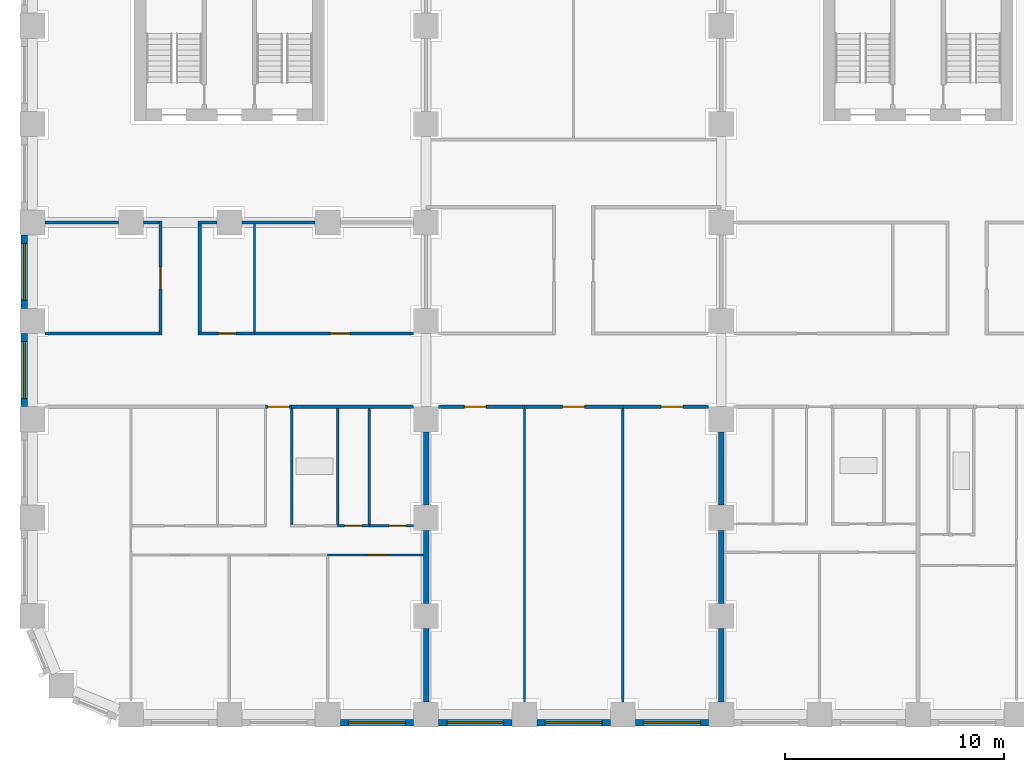
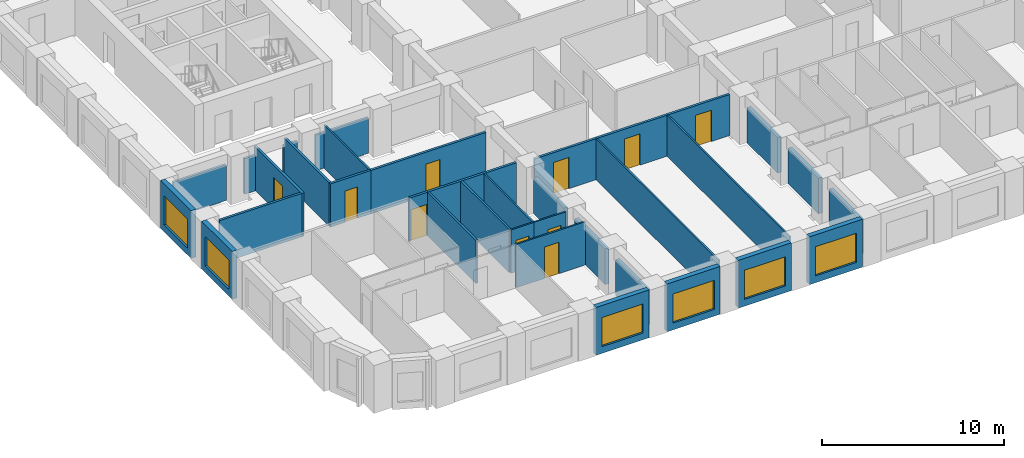
# One storey, part 3 of 13: 35 walls, 10 doors, 6 windows, 16 openings.
"""IFC4 building model written with IfcOpenShell, lengths in metres."""

from ifc_helpers import new_model, si_unit, direction, frame, frame_2d, origin, place, context, subcontext, project, spatial, rectangle, extrude, material, layer, layer_set, type_object, element, fill, save


model = new_model("IFC4")

# Units and contexts
model_context = context("Model", 3, precision=1e-05, world=origin(), true_north=direction((0.0, 1.0)))
body_context = subcontext(model_context, "Body", "Model", "MODEL_VIEW")
ifc_project = project(units=[si_unit("LENGTHUNIT", "METRE"), si_unit("AREAUNIT", "SQUARE_METRE"), si_unit("VOLUMEUNIT", "CUBIC_METRE"), si_unit("PLANEANGLEUNIT", "RADIAN"), si_unit("MASSUNIT", "GRAM", prefix="KILO")], contexts=[model_context])

# Site, building, storey
site_placement = place(None, origin())
site = spatial("IfcSite", under=ifc_project, at=site_placement, CompositionType="ELEMENT")
building_placement = place(site_placement, origin())
building = spatial("IfcBuilding", under=site, at=building_placement, Name="Girih Gate Residences", CompositionType="ELEMENT")
storey_placement = place(building_placement, frame((0.0, 0.0, 80.0)))
storey = spatial("IfcBuildingStorey", under=building, at=storey_placement, Name="L21", CompositionType="ELEMENT", Elevation=80.0)

# Walls
ifc_material_1 = material(Name="Gypsum board on steel studs", Category="steel")
ifc_layer_1 = layer(ifc_material_1, 0.25)
ifc_layer_set_1 = layer_set([ifc_layer_1], Name="Acoustic separating wall 250 mm")
wall_type_1 = type_object("IfcWallType", Name="Acoustic separating wall 250 mm", PredefinedType="PARTITIONING", material=ifc_layer_set_1)
for number, where, z_axis, x_axis, name in (
    (1, (18.0, 5.074951171875, 0.0), (0.0, 0.0, 1.0), (0.0, 1.0, 0.0), "L21 partition"),
    (2, (18.0, 0.574951171875, 0.0), (0.0, 0.0, 1.0), (0.0, 1.0, 0.0), "L21 partition"),
    (3, (18.0, 9.574951171875, 0.0), (0.0, 0.0, 1.0), (0.0, 1.0, 0.0), "L21 partition"),
    (4, (31.5, 9.574951171875, 0.0), (0.0, 0.0, 1.0), (0.0, 1.0, 0.0), "L21 partition"),
    (5, (31.5, 0.574951171875, 0.0), (0.0, 0.0, 1.0), (0.0, 1.0, 0.0), "L21 partition"),
    (6, (31.5, 5.074951171875, 0.0), (0.0, 0.0, 1.0), (0.0, 1.0, 0.0), "L21 partition"),
):
    element("IfcWall", number, at=place(storey_placement, frame(where, z_axis=z_axis, x_axis=x_axis)), inside=storey, type_object=wall_type_1, Name=name, PredefinedType="PARTITIONING", context=body_context, shape_type="SweptSolid", body=[
        extrude(rectangle(XDim=3.35009765625, YDim=0.25, at=frame_2d((1.675048828125, 0.0))), origin(), (0.0, 0.0, 1.0), 2.3798828125),
    ])
ifc_layer_2 = layer(ifc_material_1, 0.14990234375)
ifc_layer_set_2 = layer_set([ifc_layer_2], Name="Compartment wall 150 mm")
wall_type_2 = type_object("IfcWallType", Name="Compartment wall 150 mm", PredefinedType="PARTITIONING", material=ifc_layer_set_2)
wall_1_placement = place(storey_placement, frame((11.85009765625, 14.074951171875, 0.0), z_axis=(0.0, 0.0, 1.0), x_axis=(1.0, 0.0, 0.0)))
element("IfcWall", 7, at=wall_1_placement, inside=storey, type_object=wall_type_2, Name="L21 partition", PredefinedType="PARTITIONING", context=body_context, shape_type="SweptSolid", body=[
    extrude(rectangle(XDim=5.574951171875, YDim=0.14990234375, at=frame_2d((2.78759765625, 0.0))), origin(), (0.0, 0.0, 1.0), 2.89990234375),
])

# Wall, opening, door
wall_2_placement = place(storey_placement, frame((11.85009765625, 14.074951171875, 0.0), z_axis=(0.0, 0.0, 1.0), x_axis=(-1.0, 0.0, 0.0)))
wall_2 = element("IfcWall", 8, at=wall_2_placement, inside=storey, type_object=wall_type_2, Name="L21 partition", PredefinedType="PARTITIONING", context=body_context, shape_type="SweptSolid", body=[
    extrude(rectangle(XDim=1.2001953125, YDim=0.14990234375, at=frame_2d((0.60009765625, 0.0))), origin(), (0.0, 0.0, 1.0), 2.89990234375),
])
opening_1_placement = place(wall_2_placement, frame((0.10009765625, 0.0, 0.0)))
opening_1 = element("IfcOpeningElement", 9, at=opening_1_placement, cuts=wall_2, Name="Opening A21-010", PredefinedType="OPENING", context=body_context, shape_type="SweptSolid", body=[
    extrude(rectangle(XDim=1.0, YDim=2.10009765625, at=frame_2d((0.5, 1.050048828125))), frame((0.0, 0.0849609375, 0.0), z_axis=(0.0, -1.0, 0.0), x_axis=(1.0, 0.0, 0.0)), (0.0, 0.0, 1.0), 0.169921875),
])
ifc_material_2 = material(Name="Timber, fire-rated core", Category="wood")
door_type_1 = type_object("IfcDoorType", Name="Flat entrance door 1000x2100 FD30S", OperationType="NOTDEFINED", PredefinedType="DOOR", material=ifc_material_2)
door_1_placement = place(opening_1_placement, origin())
door_1 = element("IfcDoor", 10, at=door_1_placement, inside=storey, type_object=door_type_1, Name="Door A21-010", OperationType="SINGLE_SWING_RIGHT", OverallHeight=2.10009765625, OverallWidth=1.0, PredefinedType="DOOR", context=body_context, shape_type="SweptSolid", body=[
    extrude(rectangle(XDim=1.0, YDim=2.10009765625, at=frame_2d((0.5, 1.050048828125))), frame((0.0, 0.02490234375, 0.0), z_axis=(0.0, -1.0, 0.0), x_axis=(1.0, 0.0, 0.0)), (0.0, 0.0, 1.0), 0.050048828125),
])
fill(opening_1, door_1)

wall_3_placement = place(storey_placement, frame((22.5, 14.074951171875, 0.0), z_axis=(0.0, 0.0, 1.0), x_axis=(-1.0, 0.0, 0.0)))
wall_3 = element("IfcWall", 11, at=wall_3_placement, inside=storey, type_object=wall_type_2, Name="L21 partition", PredefinedType="PARTITIONING", context=body_context, shape_type="SweptSolid", body=[
    extrude(rectangle(XDim=3.925048828125, YDim=0.14990234375, at=frame_2d((1.96240234375, 0.0))), origin(), (0.0, 0.0, 1.0), 2.75),
])
opening_2_placement = place(wall_3_placement, frame((1.75, 0.0, 0.0)))
opening_2 = element("IfcOpeningElement", 12, at=opening_2_placement, cuts=wall_3, Name="Opening A21-053", PredefinedType="OPENING", context=body_context, shape_type="SweptSolid", body=[
    extrude(rectangle(XDim=1.0, YDim=2.10009765625, at=frame_2d((0.5, 1.050048828125))), frame((0.0, 0.0849609375, 0.0), z_axis=(0.0, -1.0, 0.0), x_axis=(1.0, 0.0, 0.0)), (0.0, 0.0, 1.0), 0.169921875),
])
door_type_2 = type_object("IfcDoorType", Name="Amenity room door 1000x2100 FD30S", OperationType="NOTDEFINED", PredefinedType="DOOR", material=ifc_material_2)
door_2_placement = place(opening_2_placement, origin())
door_2 = element("IfcDoor", 13, at=door_2_placement, inside=storey, type_object=door_type_2, Name="Door A21-053", OperationType="SINGLE_SWING_RIGHT", OverallHeight=2.10009765625, OverallWidth=1.0, PredefinedType="DOOR", context=body_context, shape_type="SweptSolid", body=[
    extrude(rectangle(XDim=1.0, YDim=2.10009765625, at=frame_2d((0.5, 1.050048828125))), frame((0.0, 0.02490234375, 0.0), z_axis=(0.0, -1.0, 0.0), x_axis=(1.0, 0.0, 0.0)), (0.0, 0.0, 1.0), 0.050048828125),
])
fill(opening_2, door_2)

wall_4_placement = place(storey_placement, frame((27.0, 14.074951171875, 0.0), z_axis=(0.0, 0.0, 1.0), x_axis=(-1.0, 0.0, 0.0)))
wall_4 = element("IfcWall", 14, at=wall_4_placement, inside=storey, type_object=wall_type_2, Name="L21 partition", PredefinedType="PARTITIONING", context=body_context, shape_type="SweptSolid", body=[
    extrude(rectangle(XDim=4.5, YDim=0.14990234375, at=frame_2d((2.25, 0.0))), origin(), (0.0, 0.0, 1.0), 2.75),
])
opening_3_placement = place(wall_4_placement, frame((1.75, 0.0, 0.0)))
opening_3 = element("IfcOpeningElement", 15, at=opening_3_placement, cuts=wall_4, Name="Opening A21-054", PredefinedType="OPENING", context=body_context, shape_type="SweptSolid", body=[
    extrude(rectangle(XDim=1.0, YDim=2.10009765625, at=frame_2d((0.5, 1.050048828125))), frame((0.0, 0.0849609375, 0.0), z_axis=(0.0, -1.0, 0.0), x_axis=(1.0, 0.0, 0.0)), (0.0, 0.0, 1.0), 0.169921875),
])
door_3_placement = place(opening_3_placement, origin())
door_3 = element("IfcDoor", 16, at=door_3_placement, inside=storey, type_object=door_type_2, Name="Door A21-054", OperationType="SINGLE_SWING_RIGHT", OverallHeight=2.10009765625, OverallWidth=1.0, PredefinedType="DOOR", context=body_context, shape_type="SweptSolid", body=[
    extrude(rectangle(XDim=1.0, YDim=2.10009765625, at=frame_2d((0.5, 1.050048828125))), frame((0.0, 0.02490234375, 0.0), z_axis=(0.0, -1.0, 0.0), x_axis=(1.0, 0.0, 0.0)), (0.0, 0.0, 1.0), 0.050048828125),
])
fill(opening_3, door_3)

wall_5_placement = place(storey_placement, frame((30.925048828125, 14.074951171875, 0.0), z_axis=(0.0, 0.0, 1.0), x_axis=(-1.0, 0.0, 0.0)))
wall_5 = element("IfcWall", 17, at=wall_5_placement, inside=storey, type_object=wall_type_2, Name="L21 partition", PredefinedType="PARTITIONING", context=body_context, shape_type="SweptSolid", body=[
    extrude(rectangle(XDim=3.925048828125, YDim=0.14990234375, at=frame_2d((1.96240234375, 0.0))), origin(), (0.0, 0.0, 1.0), 2.75),
])
opening_4_placement = place(wall_5_placement, frame((1.175048828125, 0.0, 0.0)))
opening_4 = element("IfcOpeningElement", 18, at=opening_4_placement, cuts=wall_5, Name="Opening A21-055", PredefinedType="OPENING", context=body_context, shape_type="SweptSolid", body=[
    extrude(rectangle(XDim=1.0, YDim=2.10009765625, at=frame_2d((0.5, 1.050048828125))), frame((0.0, 0.0849609375, 0.0), z_axis=(0.0, -1.0, 0.0), x_axis=(1.0, 0.0, 0.0)), (0.0, 0.0, 1.0), 0.169921875),
])
door_4_placement = place(opening_4_placement, origin())
door_4 = element("IfcDoor", 19, at=door_4_placement, inside=storey, type_object=door_type_2, Name="Door A21-055", OperationType="SINGLE_SWING_LEFT", OverallHeight=2.10009765625, OverallWidth=1.0, PredefinedType="DOOR", context=body_context, shape_type="SweptSolid", body=[
    extrude(rectangle(XDim=1.0, YDim=2.10009765625, at=frame_2d((0.5, 1.050048828125))), frame((0.0, 0.02490234375, 0.0), z_axis=(0.0, -1.0, 0.0), x_axis=(1.0, 0.0, 0.0)), (0.0, 0.0, 1.0), 0.050048828125),
])
fill(opening_4, door_4)

wall_6_placement = place(storey_placement, frame((10.14990234375, 17.425048828125, 0.0), z_axis=(0.0, 0.0, 1.0), x_axis=(1.0, 0.0, 0.0)))
wall_6 = element("IfcWall", 20, at=wall_6_placement, inside=storey, type_object=wall_type_2, Name="L21 partition", PredefinedType="PARTITIONING", context=body_context, shape_type="SweptSolid", body=[
    extrude(rectangle(XDim=7.275146484375, YDim=0.14990234375, at=frame_2d((3.6376953125, 0.0))), origin(), (0.0, 0.0, 1.0), 2.89990234375),
])
opening_5_placement = place(wall_6_placement, frame((3.47509765625, 0.0, 0.0)))
opening_5 = element("IfcOpeningElement", 21, at=opening_5_placement, cuts=wall_6, Name="Opening A21-059", PredefinedType="OPENING", context=body_context, shape_type="SweptSolid", body=[
    extrude(rectangle(XDim=0.89990234375, YDim=2.10009765625, at=frame_2d((0.449951171875, 1.050048828125))), frame((0.0, 0.0849609375, 0.0), z_axis=(0.0, -1.0, 0.0), x_axis=(1.0, 0.0, 0.0)), (0.0, 0.0, 1.0), 0.169921875),
])
ifc_material_3 = material(Name="Timber", Category="wood")
door_type_3 = type_object("IfcDoorType", Name="Service room door 900x2100", OperationType="NOTDEFINED", PredefinedType="DOOR", material=ifc_material_3)
door_5_placement = place(opening_5_placement, origin())
door_5 = element("IfcDoor", 22, at=door_5_placement, inside=storey, type_object=door_type_3, Name="Door A21-059", OperationType="SINGLE_SWING_RIGHT", OverallHeight=2.10009765625, OverallWidth=0.89990234375, PredefinedType="DOOR", context=body_context, shape_type="SweptSolid", body=[
    extrude(rectangle(XDim=0.89990234375, YDim=2.10009765625, at=frame_2d((0.449951171875, 1.050048828125))), frame((0.0, 0.02490234375, 0.0), z_axis=(0.0, -1.0, 0.0), x_axis=(1.0, 0.0, 0.0)), (0.0, 0.0, 1.0), 0.050048828125),
])
fill(opening_5, door_5)

wall_7_placement = place(storey_placement, frame((7.574951171875, 17.425048828125, 0.0), z_axis=(0.0, 0.0, 1.0), x_axis=(1.0, 0.0, 0.0)))
wall_7 = element("IfcWall", 23, at=wall_7_placement, inside=storey, type_object=wall_type_2, Name="L21 partition", PredefinedType="PARTITIONING", context=body_context, shape_type="SweptSolid", body=[
    extrude(rectangle(XDim=2.574951171875, YDim=0.14990234375, at=frame_2d((1.28759765625, 0.0))), origin(), (0.0, 0.0, 1.0), 2.89990234375),
])
opening_6_placement = place(wall_7_placement, frame((0.925048828125, 0.0, 0.0)))
opening_6 = element("IfcOpeningElement", 24, at=opening_6_placement, cuts=wall_7, Name="Opening A21-061", PredefinedType="OPENING", context=body_context, shape_type="SweptSolid", body=[
    extrude(rectangle(XDim=0.800048828125, YDim=2.10009765625, at=frame_2d((0.39990234375, 1.050048828125))), frame((0.0, 0.0849609375, 0.0), z_axis=(0.0, -1.0, 0.0), x_axis=(1.0, 0.0, 0.0)), (0.0, 0.0, 1.0), 0.169921875),
])
door_type_4 = type_object("IfcDoorType", Name="Bathroom door 800x2100", OperationType="NOTDEFINED", PredefinedType="DOOR", material=ifc_material_3)
door_6_placement = place(opening_6_placement, origin())
door_6 = element("IfcDoor", 25, at=door_6_placement, inside=storey, type_object=door_type_4, Name="Door A21-061", OperationType="SINGLE_SWING_RIGHT", OverallHeight=2.10009765625, OverallWidth=0.800048828125, PredefinedType="DOOR", context=body_context, shape_type="SweptSolid", body=[
    extrude(rectangle(XDim=0.800048828125, YDim=2.10009765625, at=frame_2d((0.39990234375, 1.050048828125))), frame((0.0, 0.02490234375, 0.0), z_axis=(0.0, -1.0, 0.0), x_axis=(1.0, 0.0, 0.0)), (0.0, 0.0, 1.0), 0.050048828125),
])
fill(opening_6, door_6)

# Walls
wall_8_placement = place(storey_placement, frame((0.574951171875, 17.425048828125, 0.0), z_axis=(0.0, 0.0, 1.0), x_axis=(1.0, 0.0, 0.0)))
element("IfcWall", 26, at=wall_8_placement, inside=storey, type_object=wall_type_2, Name="L21 partition", PredefinedType="PARTITIONING", context=body_context, shape_type="SweptSolid", body=[
    extrude(rectangle(XDim=5.199951171875, YDim=0.14990234375, at=frame_2d((2.60009765625, 0.0))), origin(), (0.0, 0.0, 1.0), 2.89990234375),
])
wall_9_placement = place(storey_placement, frame((9.574951171875, 22.5, 0.0), z_axis=(0.0, 0.0, 1.0), x_axis=(1.0, 0.0, 0.0)))
element("IfcWall", 27, at=wall_9_placement, inside=storey, type_object=wall_type_2, Name="L21 partition", PredefinedType="PARTITIONING", context=body_context, shape_type="SweptSolid", body=[
    extrude(rectangle(XDim=3.35009765625, YDim=0.14990234375, at=frame_2d((1.675048828125, 0.0))), origin(), (0.0, 0.0, 1.0), 2.3798828125),
])
wall_10_placement = place(storey_placement, frame((7.574951171875, 22.5, 0.0), z_axis=(0.0, 0.0, 1.0), x_axis=(1.0, 0.0, 0.0)))
element("IfcWall", 28, at=wall_10_placement, inside=storey, type_object=wall_type_2, Name="L21 partition", PredefinedType="PARTITIONING", context=body_context, shape_type="SweptSolid", body=[
    extrude(rectangle(XDim=0.85009765625, YDim=0.14990234375, at=frame_2d((0.425048828125, 0.0))), origin(), (0.0, 0.0, 1.0), 2.3798828125),
])
wall_11_placement = place(storey_placement, frame((5.074951171875, 22.5, 0.0), z_axis=(0.0, 0.0, 1.0), x_axis=(1.0, 0.0, 0.0)))
element("IfcWall", 29, at=wall_11_placement, inside=storey, type_object=wall_type_2, Name="L21 partition", PredefinedType="PARTITIONING", context=body_context, shape_type="SweptSolid", body=[
    extrude(rectangle(XDim=0.699951171875, YDim=0.14990234375, at=frame_2d((0.35009765625, 0.0))), origin(), (0.0, 0.0, 1.0), 2.3798828125),
])
wall_12_placement = place(storey_placement, frame((0.574951171875, 22.5, 0.0), z_axis=(0.0, 0.0, 1.0), x_axis=(1.0, 0.0, 0.0)))
element("IfcWall", 30, at=wall_12_placement, inside=storey, type_object=wall_type_2, Name="L21 partition", PredefinedType="PARTITIONING", context=body_context, shape_type="SweptSolid", body=[
    extrude(rectangle(XDim=3.35009765625, YDim=0.14990234375, at=frame_2d((1.675048828125, 0.0))), origin(), (0.0, 0.0, 1.0), 2.3798828125),
])
wall_13_placement = place(storey_placement, frame((7.64990234375, 17.5, 0.0), z_axis=(0.0, 0.0, 1.0), x_axis=(0.0, 1.0, 0.0)))
element("IfcWall", 31, at=wall_13_placement, inside=storey, type_object=wall_type_2, Name="L21 partition", PredefinedType="PARTITIONING", context=body_context, shape_type="SweptSolid", body=[
    extrude(rectangle(XDim=4.925048828125, YDim=0.14990234375, at=frame_2d((2.46240234375, 0.0))), origin(), (0.0, 0.0, 1.0), 2.89990234375),
])

# Wall, opening, door
wall_14_placement = place(storey_placement, frame((5.85009765625, 17.35009765625, 0.0), z_axis=(0.0, 0.0, 1.0), x_axis=(0.0, 1.0, 0.0)))
wall_14 = element("IfcWall", 32, at=wall_14_placement, inside=storey, type_object=wall_type_2, Name="L21 partition", PredefinedType="PARTITIONING", context=body_context, shape_type="SweptSolid", body=[
    extrude(rectangle(XDim=5.224853515625, YDim=0.14990234375, at=frame_2d((2.6123046875, 0.0))), origin(), (0.0, 0.0, 1.0), 2.89990234375),
])
opening_7_placement = place(wall_14_placement, frame((2.112548828125, 0.0, 0.0)))
opening_7 = element("IfcOpeningElement", 33, at=opening_7_placement, cuts=wall_14, Name="Opening A21-063", PredefinedType="OPENING", context=body_context, shape_type="SweptSolid", body=[
    extrude(rectangle(XDim=1.0, YDim=2.10009765625, at=frame_2d((0.5, 1.050048828125))), frame((0.0, 0.0849609375, 0.0), z_axis=(0.0, -1.0, 0.0), x_axis=(1.0, 0.0, 0.0)), (0.0, 0.0, 1.0), 0.169921875),
])
door_7_placement = place(opening_7_placement, origin())
door_7 = element("IfcDoor", 34, at=door_7_placement, inside=storey, type_object=door_type_2, Name="Door A21-063", OperationType="SINGLE_SWING_LEFT", OverallHeight=2.10009765625, OverallWidth=1.0, PredefinedType="DOOR", context=body_context, shape_type="SweptSolid", body=[
    extrude(rectangle(XDim=1.0, YDim=2.10009765625, at=frame_2d((0.5, 1.050048828125))), frame((0.0, 0.02490234375, 0.0), z_axis=(0.0, -1.0, 0.0), x_axis=(1.0, 0.0, 0.0)), (0.0, 0.0, 1.0), 0.050048828125),
])
fill(opening_7, door_7)

ifc_layer_3 = layer(ifc_material_1, 0.10009765625)
ifc_layer_set_3 = layer_set([ifc_layer_3], Name="Partition 100 mm")
wall_type_3 = type_object("IfcWallType", Name="Partition 100 mm", PredefinedType="PARTITIONING", material=ifc_layer_set_3)
wall_15_placement = place(storey_placement, frame((17.875, 7.294921875, 0.0), z_axis=(0.0, 0.0, 1.0), x_axis=(-1.0, 0.0, 0.0)))
wall_15 = element("IfcWall", 35, at=wall_15_placement, inside=storey, type_object=wall_type_3, Name="L21 partition", PredefinedType="PARTITIONING", context=body_context, shape_type="SweptSolid", body=[
    extrude(rectangle(XDim=4.375, YDim=0.10009765625, at=frame_2d((2.1875, 0.0))), origin(), (0.0, 0.0, 1.0), 2.89990234375),
])
opening_8_placement = place(wall_15_placement, frame((1.675048828125, 0.0, 0.0)))
opening_8 = element("IfcOpeningElement", 36, at=opening_8_placement, cuts=wall_15, Name="Opening A21-004", PredefinedType="OPENING", context=body_context, shape_type="SweptSolid", body=[
    extrude(rectangle(XDim=0.89990234375, YDim=2.10009765625, at=frame_2d((0.449951171875, 1.050048828125))), frame((0.0, 0.06005859375, 0.0), z_axis=(0.0, -1.0, 0.0), x_axis=(1.0, 0.0, 0.0)), (0.0, 0.0, 1.0), 0.1201171875),
])
door_type_5 = type_object("IfcDoorType", Name="Bedroom door 900x2100", OperationType="NOTDEFINED", PredefinedType="DOOR", material=ifc_material_3)
door_8_placement = place(opening_8_placement, origin())
door_8 = element("IfcDoor", 37, at=door_8_placement, inside=storey, type_object=door_type_5, Name="Door A21-004", OperationType="SINGLE_SWING_LEFT", OverallHeight=2.10009765625, OverallWidth=0.89990234375, PredefinedType="DOOR", context=body_context, shape_type="SweptSolid", body=[
    extrude(rectangle(XDim=0.89990234375, YDim=2.10009765625, at=frame_2d((0.449951171875, 1.050048828125))), frame((0.0, 0.02490234375, 0.0), z_axis=(0.0, -1.0, 0.0), x_axis=(1.0, 0.0, 0.0)), (0.0, 0.0, 1.0), 0.050048828125),
])
fill(opening_8, door_8)

wall_16_placement = place(storey_placement, frame((15.401611328125, 8.635009765625, 0.0), z_axis=(0.0, 0.0, 1.0), x_axis=(1.0, 0.0, 0.0)))
wall_16 = element("IfcWall", 38, at=wall_16_placement, inside=storey, type_object=wall_type_3, Name="L21 partition", PredefinedType="PARTITIONING", context=body_context, shape_type="SweptSolid", body=[
    extrude(rectangle(XDim=2.0234375, YDim=0.10009765625, at=frame_2d((1.01171875, 0.0))), origin(), (0.0, 0.0, 1.0), 2.89990234375),
])
opening_9_placement = place(wall_16_placement, frame((0.899169921875, 0.0, 0.0)))
opening_9 = element("IfcOpeningElement", 39, at=opening_9_placement, cuts=wall_16, Name="Opening A21-005", PredefinedType="OPENING", context=body_context, shape_type="SweptSolid", body=[
    extrude(rectangle(XDim=0.800048828125, YDim=2.10009765625, at=frame_2d((0.39990234375, 1.050048828125))), frame((0.0, 0.06005859375, 0.0), z_axis=(0.0, -1.0, 0.0), x_axis=(1.0, 0.0, 0.0)), (0.0, 0.0, 1.0), 0.1201171875),
])
door_type_6 = type_object("IfcDoorType", Name="Store door 800x2100", OperationType="NOTDEFINED", PredefinedType="DOOR", material=ifc_material_3)
door_9_placement = place(opening_9_placement, origin())
door_9 = element("IfcDoor", 40, at=door_9_placement, inside=storey, type_object=door_type_6, Name="Door A21-005", OperationType="SINGLE_SWING_RIGHT", OverallHeight=2.10009765625, OverallWidth=0.800048828125, PredefinedType="DOOR", context=body_context, shape_type="SweptSolid", body=[
    extrude(rectangle(XDim=0.800048828125, YDim=2.10009765625, at=frame_2d((0.39990234375, 1.050048828125))), frame((0.0, 0.02490234375, 0.0), z_axis=(0.0, -1.0, 0.0), x_axis=(1.0, 0.0, 0.0)), (0.0, 0.0, 1.0), 0.050048828125),
])
fill(opening_9, door_9)

# Wall
wall_17_placement = place(storey_placement, frame((15.402099609375, 8.68505859375, 0.0), z_axis=(0.0, 0.0, 1.0), x_axis=(0.0, 1.0, 0.0)))
element("IfcWall", 41, at=wall_17_placement, inside=storey, type_object=wall_type_3, Name="L21 partition", PredefinedType="PARTITIONING", context=body_context, shape_type="SweptSolid", body=[
    extrude(rectangle(XDim=5.31494140625, YDim=0.10009765625, at=frame_2d((2.657470703125, 0.0))), origin(), (0.0, 0.0, 1.0), 2.89990234375),
])

# Wall, opening, door
wall_18_placement = place(storey_placement, frame((13.953857421875, 8.635009765625, 0.0), z_axis=(0.0, 0.0, 1.0), x_axis=(1.0, 0.0, 0.0)))
wall_18 = element("IfcWall", 42, at=wall_18_placement, inside=storey, type_object=wall_type_3, Name="L21 partition", PredefinedType="PARTITIONING", context=body_context, shape_type="SweptSolid", body=[
    extrude(rectangle(XDim=1.44775390625, YDim=0.10009765625, at=frame_2d((0.723876953125, 0.0))), origin(), (0.0, 0.0, 1.0), 2.89990234375),
])
opening_10_placement = place(wall_18_placement, frame((0.32373046875, 0.0, 0.0)))
opening_10 = element("IfcOpeningElement", 43, at=opening_10_placement, cuts=wall_18, Name="Opening A21-008", PredefinedType="OPENING", context=body_context, shape_type="SweptSolid", body=[
    extrude(rectangle(XDim=0.800048828125, YDim=2.10009765625, at=frame_2d((0.39990234375, 1.050048828125))), frame((0.0, 0.06005859375, 0.0), z_axis=(0.0, -1.0, 0.0), x_axis=(1.0, 0.0, 0.0)), (0.0, 0.0, 1.0), 0.1201171875),
])
door_10_placement = place(opening_10_placement, origin())
door_10 = element("IfcDoor", 44, at=door_10_placement, inside=storey, type_object=door_type_6, Name="Door A21-008", OperationType="SINGLE_SWING_RIGHT", OverallHeight=2.10009765625, OverallWidth=0.800048828125, PredefinedType="DOOR", context=body_context, shape_type="SweptSolid", body=[
    extrude(rectangle(XDim=0.800048828125, YDim=2.10009765625, at=frame_2d((0.39990234375, 1.050048828125))), frame((0.0, 0.02490234375, 0.0), z_axis=(0.0, -1.0, 0.0), x_axis=(1.0, 0.0, 0.0)), (0.0, 0.0, 1.0), 0.050048828125),
])
fill(opening_10, door_10)

# Walls
for number, where, z_axis, x_axis, name in (
    (45, (22.5, 0.574951171875, 0.0), (0.0, 0.0, 1.0), (0.0, 1.0, 0.0), "L21 partition"),
    (46, (27.0, 0.574951171875, 0.0), (0.0, 0.0, 1.0), (0.0, 1.0, 0.0), "L21 partition"),
):
    element("IfcWall", number, at=place(storey_placement, frame(where, z_axis=z_axis, x_axis=x_axis)), inside=storey, type_object=wall_type_3, Name=name, PredefinedType="PARTITIONING", context=body_context, shape_type="SweptSolid", body=[
        extrude(rectangle(XDim=13.425048828125, YDim=0.10009765625, at=frame_2d((6.71240234375, 0.0))), origin(), (0.0, 0.0, 1.0), 2.75),
    ])
wall_19_placement = place(storey_placement, frame((10.14990234375, 17.5, 0.0), z_axis=(0.0, 0.0, 1.0), x_axis=(0.0, 1.0, 0.0)))
element("IfcWall", 47, at=wall_19_placement, inside=storey, type_object=wall_type_3, Name="L21 partition", PredefinedType="PARTITIONING", context=body_context, shape_type="SweptSolid", body=[
    extrude(rectangle(XDim=4.925048828125, YDim=0.10009765625, at=frame_2d((2.46240234375, 0.0))), origin(), (0.0, 0.0, 1.0), 2.89990234375),
])

# Wall, opening, window
ifc_material_4 = material(Name="Precast concrete C50/60", Category="concrete")
ifc_layer_4 = layer(ifc_material_4, 0.080078125, Name="Outer leaf")
ifc_material_5 = material(Name="Rigid PIR insulation")
ifc_layer_5 = layer(ifc_material_5, 0.14990234375, Name="Insulation")
ifc_material_6 = material(Name="Precast concrete C40/50", Category="concrete")
ifc_layer_6 = layer(ifc_material_6, 0.070068359375, Name="Inner leaf")
ifc_layer_set_4 = layer_set([ifc_layer_4, ifc_layer_5, ifc_layer_6], Name="Precast concrete C50/60 external wall 300")
wall_type_4 = type_object("IfcWallType", Name="Precast concrete C50/60 external wall 300", PredefinedType="SOLIDWALL", material=ifc_layer_set_4)
wall_20_placement = place(storey_placement, frame((17.425048828125, -0.375, 0.0), z_axis=(0.0, 0.0, 1.0), x_axis=(-1.0, 0.0, 0.0)))
wall_20 = element("IfcWall", 48, at=wall_20_placement, inside=storey, type_object=wall_type_4, Name="External wall S0045_0000.2", PredefinedType="SOLIDWALL", context=body_context, shape_type="SweptSolid", body=[
    extrude(rectangle(XDim=3.35009765625, YDim=0.300048828125, at=frame_2d((1.675048828125, 0.0))), origin(), (0.0, 0.0, 1.0), 3.199951171875),
])
opening_11_placement = place(wall_20_placement, frame((0.375, 0.0, 0.449951171875)))
opening_11 = element("IfcOpeningElement", 49, at=opening_11_placement, cuts=wall_20, Name="Opening W-1A", PredefinedType="OPENING", context=body_context, shape_type="SweptSolid", body=[
    extrude(rectangle(XDim=2.60009765625, YDim=1.949951171875, at=frame_2d((1.300048828125, 0.97509765625))), frame((0.0, 0.159912109375, 0.0), z_axis=(0.0, -1.0, 0.0), x_axis=(1.0, 0.0, 0.0)), (0.0, 0.0, 1.0), 0.320068359375),
])
ifc_material_7 = material(Name="Double glazing in aluminium frame", Category="aluminium")
window_type = type_object("IfcWindowType", Name="Window W-1A 2600x1950", PartitioningType="SINGLE_PANEL", PredefinedType="WINDOW", material=ifc_material_7)
window_1_placement = place(opening_11_placement, origin())
window_1 = element("IfcWindow", 50, at=window_1_placement, inside=storey, type_object=window_type, Name="Window W-1A S0045_0000.2", OverallHeight=1.949951171875, OverallWidth=2.60009765625, PartitioningType="SINGLE_PANEL", PredefinedType="WINDOW", context=body_context, shape_type="SweptSolid", body=[
    extrude(rectangle(XDim=2.60009765625, YDim=1.949951171875, at=frame_2d((1.300048828125, 0.97509765625))), frame((0.0, 0.030029296875, 0.0), z_axis=(0.0, -1.0, 0.0), x_axis=(1.0, 0.0, 0.0)), (0.0, 0.0, 1.0), 0.06005859375),
])
fill(opening_11, window_1)

wall_21_placement = place(storey_placement, frame((21.925048828125, -0.375, 0.0), z_axis=(0.0, 0.0, 1.0), x_axis=(-1.0, 0.0, 0.0)))
wall_21 = element("IfcWall", 51, at=wall_21_placement, inside=storey, type_object=wall_type_4, Name="External wall S0045_0000.3", PredefinedType="SOLIDWALL", context=body_context, shape_type="SweptSolid", body=[
    extrude(rectangle(XDim=3.35009765625, YDim=0.300048828125, at=frame_2d((1.675048828125, 0.0))), origin(), (0.0, 0.0, 1.0), 3.199951171875),
])
opening_12_placement = place(wall_21_placement, frame((0.375, 0.0, 0.449951171875)))
opening_12 = element("IfcOpeningElement", 52, at=opening_12_placement, cuts=wall_21, Name="Opening W-1A", PredefinedType="OPENING", context=body_context, shape_type="SweptSolid", body=[
    extrude(rectangle(XDim=2.60009765625, YDim=1.949951171875, at=frame_2d((1.300048828125, 0.97509765625))), frame((0.0, 0.159912109375, 0.0), z_axis=(0.0, -1.0, 0.0), x_axis=(1.0, 0.0, 0.0)), (0.0, 0.0, 1.0), 0.320068359375),
])
window_2_placement = place(opening_12_placement, origin())
window_2 = element("IfcWindow", 53, at=window_2_placement, inside=storey, type_object=window_type, Name="Window W-1A S0045_0000.3", OverallHeight=1.949951171875, OverallWidth=2.60009765625, PartitioningType="SINGLE_PANEL", PredefinedType="WINDOW", context=body_context, shape_type="SweptSolid", body=[
    extrude(rectangle(XDim=2.60009765625, YDim=1.949951171875, at=frame_2d((1.300048828125, 0.97509765625))), frame((0.0, 0.030029296875, 0.0), z_axis=(0.0, -1.0, 0.0), x_axis=(1.0, 0.0, 0.0)), (0.0, 0.0, 1.0), 0.06005859375),
])
fill(opening_12, window_2)

wall_22_placement = place(storey_placement, frame((26.425048828125, -0.375, 0.0), z_axis=(0.0, 0.0, 1.0), x_axis=(-1.0, 0.0, 0.0)))
wall_22 = element("IfcWall", 54, at=wall_22_placement, inside=storey, type_object=wall_type_4, Name="External wall S0045_0000.4", PredefinedType="SOLIDWALL", context=body_context, shape_type="SweptSolid", body=[
    extrude(rectangle(XDim=3.35009765625, YDim=0.300048828125, at=frame_2d((1.675048828125, 0.0))), origin(), (0.0, 0.0, 1.0), 3.199951171875),
])
opening_13_placement = place(wall_22_placement, frame((0.375, 0.0, 0.449951171875)))
opening_13 = element("IfcOpeningElement", 55, at=opening_13_placement, cuts=wall_22, Name="Opening W-1A", PredefinedType="OPENING", context=body_context, shape_type="SweptSolid", body=[
    extrude(rectangle(XDim=2.60009765625, YDim=1.949951171875, at=frame_2d((1.300048828125, 0.97509765625))), frame((0.0, 0.159912109375, 0.0), z_axis=(0.0, -1.0, 0.0), x_axis=(1.0, 0.0, 0.0)), (0.0, 0.0, 1.0), 0.320068359375),
])
window_3_placement = place(opening_13_placement, origin())
window_3 = element("IfcWindow", 56, at=window_3_placement, inside=storey, type_object=window_type, Name="Window W-1A S0045_0000.4", OverallHeight=1.949951171875, OverallWidth=2.60009765625, PartitioningType="SINGLE_PANEL", PredefinedType="WINDOW", context=body_context, shape_type="SweptSolid", body=[
    extrude(rectangle(XDim=2.60009765625, YDim=1.949951171875, at=frame_2d((1.300048828125, 0.97509765625))), frame((0.0, 0.030029296875, 0.0), z_axis=(0.0, -1.0, 0.0), x_axis=(1.0, 0.0, 0.0)), (0.0, 0.0, 1.0), 0.06005859375),
])
fill(opening_13, window_3)

wall_23_placement = place(storey_placement, frame((30.925048828125, -0.375, 0.0), z_axis=(0.0, 0.0, 1.0), x_axis=(-1.0, 0.0, 0.0)))
wall_23 = element("IfcWall", 57, at=wall_23_placement, inside=storey, type_object=wall_type_4, Name="External wall S0045_0000.5", PredefinedType="SOLIDWALL", context=body_context, shape_type="SweptSolid", body=[
    extrude(rectangle(XDim=3.35009765625, YDim=0.300048828125, at=frame_2d((1.675048828125, 0.0))), origin(), (0.0, 0.0, 1.0), 3.199951171875),
])
opening_14_placement = place(wall_23_placement, frame((0.375, 0.0, 0.449951171875)))
opening_14 = element("IfcOpeningElement", 58, at=opening_14_placement, cuts=wall_23, Name="Opening W-1A", PredefinedType="OPENING", context=body_context, shape_type="SweptSolid", body=[
    extrude(rectangle(XDim=2.60009765625, YDim=1.949951171875, at=frame_2d((1.300048828125, 0.97509765625))), frame((0.0, 0.159912109375, 0.0), z_axis=(0.0, -1.0, 0.0), x_axis=(1.0, 0.0, 0.0)), (0.0, 0.0, 1.0), 0.320068359375),
])
window_4_placement = place(opening_14_placement, origin())
window_4 = element("IfcWindow", 59, at=window_4_placement, inside=storey, type_object=window_type, Name="Window W-1A S0045_0000.5", OverallHeight=1.949951171875, OverallWidth=2.60009765625, PartitioningType="SINGLE_PANEL", PredefinedType="WINDOW", context=body_context, shape_type="SweptSolid", body=[
    extrude(rectangle(XDim=2.60009765625, YDim=1.949951171875, at=frame_2d((1.300048828125, 0.97509765625))), frame((0.0, 0.030029296875, 0.0), z_axis=(0.0, -1.0, 0.0), x_axis=(1.0, 0.0, 0.0)), (0.0, 0.0, 1.0), 0.06005859375),
])
fill(opening_14, window_4)

wall_24_placement = place(storey_placement, frame((-0.375, 18.574951171875, 0.0), z_axis=(0.0, 0.0, 1.0), x_axis=(0.0, 1.0, 0.0)))
wall_24 = element("IfcWall", 60, at=wall_24_placement, inside=storey, type_object=wall_type_4, Name="External wall W0000_0450.5", PredefinedType="SOLIDWALL", context=body_context, shape_type="SweptSolid", body=[
    extrude(rectangle(XDim=3.35009765625, YDim=0.300048828125, at=frame_2d((1.675048828125, 0.0))), origin(), (0.0, 0.0, 1.0), 3.199951171875),
])
opening_15_placement = place(wall_24_placement, frame((0.375, 0.0, 0.449951171875)))
opening_15 = element("IfcOpeningElement", 61, at=opening_15_placement, cuts=wall_24, Name="Opening W-1A", PredefinedType="OPENING", context=body_context, shape_type="SweptSolid", body=[
    extrude(rectangle(XDim=2.60009765625, YDim=1.949951171875, at=frame_2d((1.300048828125, 0.97509765625))), frame((0.0, 0.159912109375, 0.0), z_axis=(0.0, -1.0, 0.0), x_axis=(1.0, 0.0, 0.0)), (0.0, 0.0, 1.0), 0.320068359375),
])
window_5_placement = place(opening_15_placement, origin())
window_5 = element("IfcWindow", 62, at=window_5_placement, inside=storey, type_object=window_type, Name="Window W-1A W0000_0450.5", OverallHeight=1.949951171875, OverallWidth=2.60009765625, PartitioningType="SINGLE_PANEL", PredefinedType="WINDOW", context=body_context, shape_type="SweptSolid", body=[
    extrude(rectangle(XDim=2.60009765625, YDim=1.949951171875, at=frame_2d((1.300048828125, 0.97509765625))), frame((0.0, 0.030029296875, 0.0), z_axis=(0.0, -1.0, 0.0), x_axis=(1.0, 0.0, 0.0)), (0.0, 0.0, 1.0), 0.06005859375),
])
fill(opening_15, window_5)

wall_25_placement = place(storey_placement, frame((-0.375, 14.074951171875, 0.0), z_axis=(0.0, 0.0, 1.0), x_axis=(0.0, 1.0, 0.0)))
wall_25 = element("IfcWall", 63, at=wall_25_placement, inside=storey, type_object=wall_type_4, Name="External wall W0000_0450.6", PredefinedType="SOLIDWALL", context=body_context, shape_type="SweptSolid", body=[
    extrude(rectangle(XDim=3.35009765625, YDim=0.300048828125, at=frame_2d((1.675048828125, 0.0))), origin(), (0.0, 0.0, 1.0), 3.199951171875),
])
opening_16_placement = place(wall_25_placement, frame((0.375, 0.0, 0.449951171875)))
opening_16 = element("IfcOpeningElement", 64, at=opening_16_placement, cuts=wall_25, Name="Opening W-1A", PredefinedType="OPENING", context=body_context, shape_type="SweptSolid", body=[
    extrude(rectangle(XDim=2.60009765625, YDim=1.949951171875, at=frame_2d((1.300048828125, 0.97509765625))), frame((0.0, 0.159912109375, 0.0), z_axis=(0.0, -1.0, 0.0), x_axis=(1.0, 0.0, 0.0)), (0.0, 0.0, 1.0), 0.320068359375),
])
window_6_placement = place(opening_16_placement, origin())
window_6 = element("IfcWindow", 65, at=window_6_placement, inside=storey, type_object=window_type, Name="Window W-1A W0000_0450.6", OverallHeight=1.949951171875, OverallWidth=2.60009765625, PartitioningType="SINGLE_PANEL", PredefinedType="WINDOW", context=body_context, shape_type="SweptSolid", body=[
    extrude(rectangle(XDim=2.60009765625, YDim=1.949951171875, at=frame_2d((1.300048828125, 0.97509765625))), frame((0.0, 0.030029296875, 0.0), z_axis=(0.0, -1.0, 0.0), x_axis=(1.0, 0.0, 0.0)), (0.0, 0.0, 1.0), 0.06005859375),
])
fill(opening_16, window_6)

# Walls
ifc_layer_7 = layer(ifc_material_1, 0.125)
ifc_layer_set_5 = layer_set([ifc_layer_7], Name="Wet room wall 125 mm")
wall_type_5 = type_object("IfcWallType", Name="Wet room wall 125 mm", PredefinedType="PARTITIONING", material=ifc_layer_set_5)
for number, where, z_axis, x_axis, name in (
    (66, (11.85009765625, 8.697509765625, 0.0), (0.0, 0.0, 1.0), (0.0, 1.0, 0.0), "L21 partition"),
    (67, (13.9541015625, 8.697509765625, 0.0), (0.0, 0.0, 1.0), (0.0, 1.0, 0.0), "L21 partition"),
):
    element("IfcWall", number, at=place(storey_placement, frame(where, z_axis=z_axis, x_axis=x_axis)), inside=storey, type_object=wall_type_5, Name=name, PredefinedType="PARTITIONING", context=body_context, shape_type="SweptSolid", body=[
        extrude(rectangle(XDim=5.302490234375, YDim=0.125, at=frame_2d((2.6513671875, 0.0))), origin(), (0.0, 0.0, 1.0), 2.89990234375),
    ])

save(model, "model.ifc")
